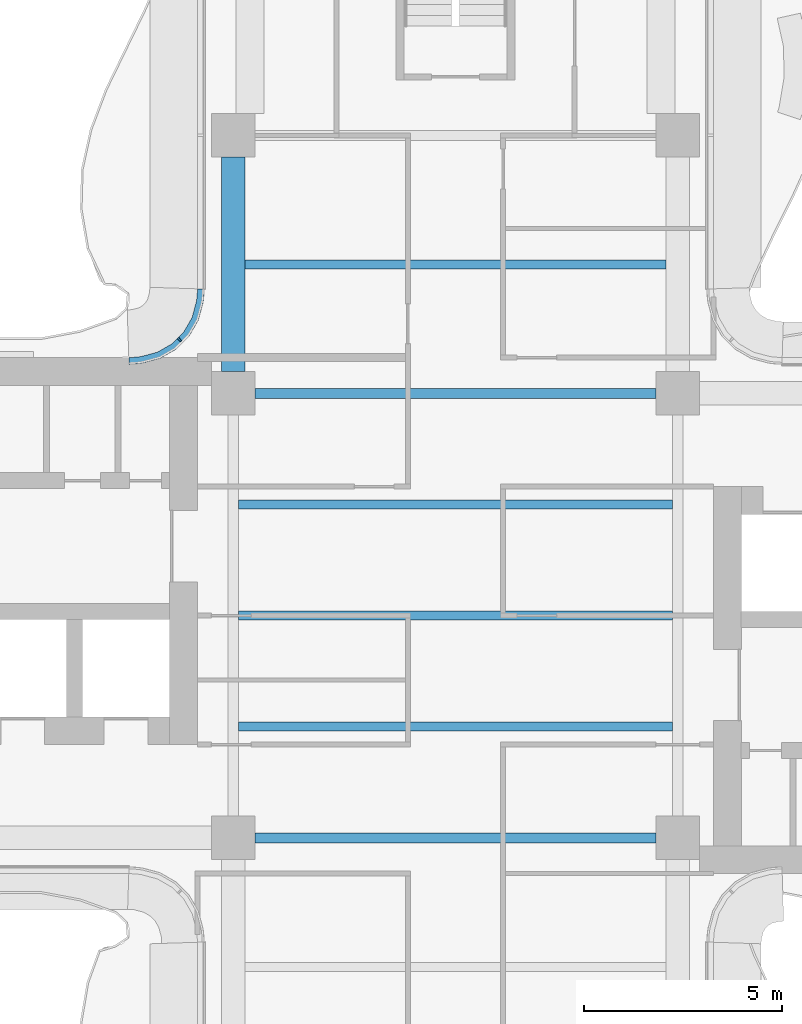
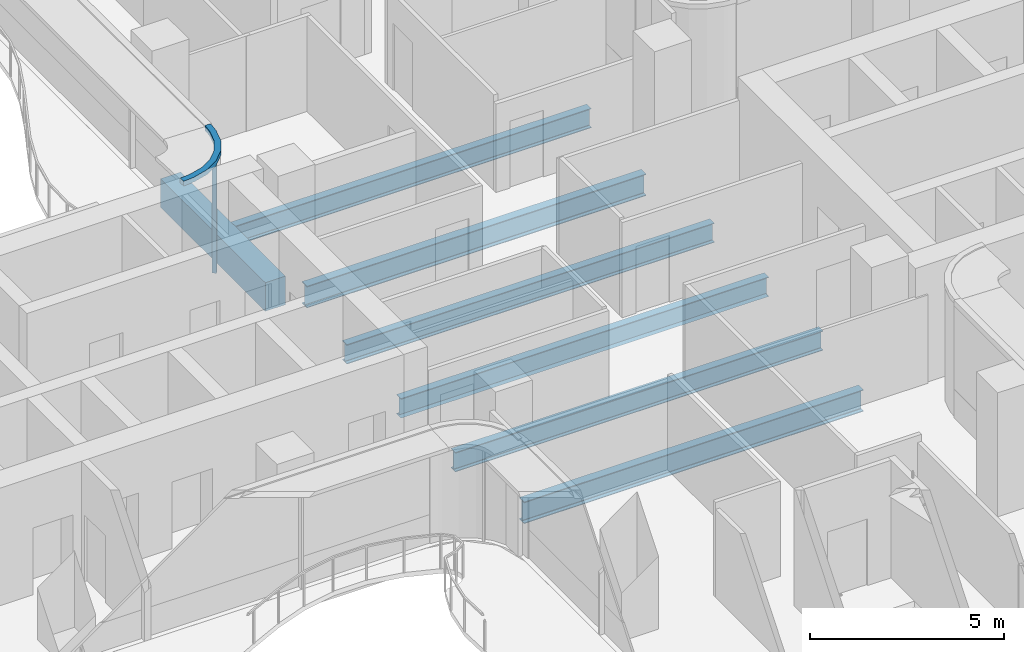
# One storey, part 4 of 16: 7 beams, 2 members, 1 element without a shape of its own.
"""IFC4 building model written with IfcOpenShell, lengths in metres."""

from ifc_helpers import new_model, si_unit, direction, frame, origin, origin_2d, place, context, subcontext, project, spatial, polyline, rectangle, i_section, outline, extrude, source, transform, mapped, material, layer, layer_set, material_profile, profile_set, type_object, element, aggregate, save


model = new_model("IFC4")

# Units and contexts
model_context = context("Model", 3, precision=1e-05, world=origin(), true_north=direction((0.0, 1.0)))
body_context = subcontext(model_context, "Body", "Model", "MODEL_VIEW")
ifc_project = project(units=[si_unit("LENGTHUNIT", "METRE"), si_unit("AREAUNIT", "SQUARE_METRE"), si_unit("VOLUMEUNIT", "CUBIC_METRE"), si_unit("PLANEANGLEUNIT", "RADIAN"), si_unit("MASSUNIT", "GRAM", prefix="KILO")], contexts=[model_context])

# Site, building, storey
site_placement = place(None, origin())
site = spatial("IfcSite", under=ifc_project, at=site_placement, CompositionType="ELEMENT")
building_placement = place(site_placement, origin())
building = spatial("IfcBuilding", under=site, at=building_placement, Name="Trellis Farm Tower", CompositionType="ELEMENT")
storey_placement = place(building_placement, frame((0.0, 0.0, 251.89990234375)))
storey = spatial("IfcBuildingStorey", under=building, at=storey_placement, Name="L56", CompositionType="ELEMENT", Elevation=251.89990234375)

# Beams
ifc_material_1 = material(Name="Steel S355", Category="steel")
ifc_material_profile_1 = material_profile(ifc_material_1, i_section(OverallWidth=0.22900390625, OverallDepth=0.6123046875, WebThickness=0.011962890625, FlangeThickness=0.01953125, FilletRadius=0.0126953125, at=origin_2d()), Name="UB 610x229x125")
ifc_profile_set_1 = profile_set([ifc_material_profile_1], Name="Steel S355")
beam_type_1 = type_object("IfcBeamType", Name="UB 610x229x125 joist", PredefinedType="JOIST", material=ifc_profile_set_1)
shared_shape_1 = source(origin(), body_context, "Body", "SweptSolid", [
    extrude(i_section(OverallWidth=0.22900390625, OverallDepth=0.6123046875, WebThickness=0.011962890625, FlangeThickness=0.01953125, FilletRadius=0.0126953125, at=origin_2d()), origin(), (0.0, 0.0, 1.0), 10.9462890625),
])
for number, where, z_axis, x_axis, name in (
    (1, (-5.47314453125, -2.800048828125, -0.506103515625), (1.0, 0.0, 0.0), (0.0, 1.0, 0.0), "Floor beam"),
    (2, (-5.47314453125, 0.0, -0.506103515625), (1.0, 0.0, 0.0), (0.0, 1.0, 0.0), "Floor beam"),
    (3, (-5.47314453125, 2.800048828125, -0.506103515625), (1.0, 0.0, 0.0), (0.0, 1.0, 0.0), "Floor beam"),
):
    element("IfcBeam", number, at=place(storey_placement, frame(where, z_axis=z_axis, x_axis=x_axis)), inside=storey, type_object=beam_type_1, Name=name, PredefinedType="JOIST", context=body_context, shape_type="MappedRepresentation", body=[
        mapped(shared_shape_1, transform((0.0, 0.0, 0.0))),
    ])
shared_shape_2 = source(origin(), body_context, "Body", "SweptSolid", [
    extrude(i_section(OverallWidth=0.22900390625, OverallDepth=0.6123046875, WebThickness=0.011962890625, FlangeThickness=0.01953125, FilletRadius=0.0126953125, at=origin_2d()), origin(), (0.0, 0.0, 1.0), 10.60009765625),
])
beam_1_placement = place(storey_placement, frame((-5.300048828125, 8.85009765625, -0.506103515625), z_axis=(1.0, 0.0, 0.0), x_axis=(0.0, 1.0, 0.0)))
element("IfcBeam", 4, at=beam_1_placement, inside=storey, type_object=beam_type_1, Name="Floor beam", PredefinedType="JOIST", context=body_context, shape_type="MappedRepresentation", body=[
    mapped(shared_shape_2, transform((0.0, 0.0, 0.0))),
])
ifc_material_profile_2 = material_profile(ifc_material_1, i_section(OverallWidth=0.253662109375, OverallDepth=0.68359375, WebThickness=0.012451171875, FlangeThickness=0.021728515625, FilletRadius=0.01513671875, at=origin_2d()), Name="UB 686x254x140")
ifc_profile_set_2 = profile_set([ifc_material_profile_2], Name="Steel S355")
beam_type_2 = type_object("IfcBeamType", Name="UB 686x254x140", PredefinedType="BEAM", material=ifc_profile_set_2)
shared_shape_3 = source(origin(), body_context, "Body", "SweptSolid", [
    extrude(i_section(OverallWidth=0.253662109375, OverallDepth=0.68359375, WebThickness=0.012451171875, FlangeThickness=0.021728515625, FilletRadius=0.01513671875, at=origin_2d()), origin(), (0.0, 0.0, 1.0), 10.10009765625),
])
for number, where, z_axis, x_axis, name in (
    (5, (-5.050048828125, -5.60009765625, -0.54150390625), (1.0, 0.0, 0.0), (0.0, 1.0, 0.0), "Girder"),
    (6, (-5.050048828125, 5.60009765625, -0.54150390625), (1.0, 0.0, 0.0), (0.0, 1.0, 0.0), "Girder"),
):
    element("IfcBeam", number, at=place(storey_placement, frame(where, z_axis=z_axis, x_axis=x_axis)), inside=storey, type_object=beam_type_2, Name=name, PredefinedType="BEAM", context=body_context, shape_type="MappedRepresentation", body=[
        mapped(shared_shape_3, transform((0.0, 0.0, 0.0))),
    ])
ifc_material_2 = material(Name="Concrete C60/75", Category="concrete")
ifc_material_profile_3 = material_profile(ifc_material_2, rectangle(XDim=0.60009765625, YDim=0.89990234375, at=origin_2d()), Name="RC spandrel beam 600x900 C60/75")
ifc_profile_set_3 = profile_set([ifc_material_profile_3], Name="Concrete C60/75")
beam_type_3 = type_object("IfcBeamType", Name="RC spandrel beam 600x900 C60/75", PredefinedType="SPANDREL", material=ifc_profile_set_3)
shared_shape_4 = source(origin(), body_context, "Body", "SweptSolid", [
    extrude(rectangle(XDim=0.60009765625, YDim=0.89990234375, at=origin_2d()), origin(), (0.0, 0.0, 1.0), 5.400146484375),
])
beam_2_placement = place(storey_placement, frame((-5.60009765625, 6.14990234375, -0.64990234375), z_axis=(0.0, 1.0, 0.0), x_axis=(-1.0, 0.0, 0.0)))
element("IfcBeam", 7, at=beam_2_placement, inside=storey, type_object=beam_type_3, Name="Girder", PredefinedType="SPANDREL", context=body_context, shape_type="MappedRepresentation", body=[
    mapped(shared_shape_4, transform((0.0, 0.0, 0.0))),
])

# Curtain wall, members
ifc_material_3 = material(Name="Aluminium and glass curtain wall", Category="aluminium")
ifc_layer_1 = layer(ifc_material_3, 0.166015625)
ifc_layer_set_1 = layer_set([ifc_layer_1], Name="WINTER GARDEN CURTAIN WALL CW3")
curtain_wall_type = type_object("IfcCurtainWallType", Name="WINTER GARDEN CURTAIN WALL CW3", PredefinedType="NOTDEFINED", material=ifc_layer_set_1)
curtain_wall_placement = place(storey_placement, origin())
curtain_wall = element("IfcCurtainWall", 8, at=curtain_wall_placement, inside=storey, type_object=curtain_wall_type, Name="CW3 004", PredefinedType="NOTDEFINED")
ifc_material_4 = material(Name="Aluminium extrusion 6063-T6", Category="aluminium")
ifc_material_profile_4 = material_profile(ifc_material_4, rectangle(XDim=0.050048828125, YDim=0.1201171875, at=origin_2d()), Name="MULLION 50x120")
ifc_profile_set_4 = profile_set([ifc_material_profile_4], Name="Aluminium extrusion 6063-T6")
member_type_1 = type_object("IfcMemberType", Name="CW3 MULLION 50x120", PredefinedType="MULLION", material=ifc_profile_set_4)
shared_shape_5 = source(origin(), body_context, "Body", "SweptSolid", [
    extrude(rectangle(XDim=0.050048828125, YDim=0.1201171875, at=origin_2d()), origin(), (0.0, 0.0, 1.0), 3.550048828125),
])
member_1_placement = place(storey_placement, frame((-6.953125, 6.953125, 0.0), z_axis=(0.0, 0.0, 1.0), x_axis=(-0.707106781187, -0.707106781187, 0.0)))
member_1 = element("IfcMember", 9, at=member_1_placement, type_object=member_type_1, Name="MU3 004-01", PredefinedType="MULLION", context=body_context, shape_type="MappedRepresentation", body=[
    mapped(shared_shape_5, transform((0.0, 0.0, 0.0))),
])
ifc_layer_2 = layer(ifc_material_4, 0.169921875)
ifc_layer_set_2 = layer_set([ifc_layer_2], Name="Aluminium extrusion 6063-T6")
member_type_2 = type_object("IfcMemberType", Name="CW3 TRANSOM 170x150", PredefinedType="USERDEFINED", material=ifc_layer_set_2)
shared_shape_6 = source(origin(), body_context, "Body", "SweptSolid", [
    extrude(outline(polyline([(-6.5, 8.2314453125), (-6.513916015625, 8.01953125), (-6.527587890625, 7.91552734375), (-6.63671875, 7.508544921875), (-6.846923828125, 7.144287109375), (-7.144287109375, 6.846923828125), (-7.508544921875, 6.63671875), (-7.91552734375, 6.527587890625), (-8.01953125, 6.513916015625), (-8.2314453125, 6.5), (-8.225830078125, 6.330078125), (-8.0029296875, 6.3447265625), (-7.88232421875, 6.360595703125), (-7.44287109375, 6.478271484375), (-7.0400390625, 6.7109375), (-6.7109375, 7.0400390625), (-6.478271484375, 7.44287109375), (-6.360595703125, 7.88232421875), (-6.3447265625, 8.0029296875), (-6.330078125, 8.225830078125), (-6.5, 8.2314453125)])), origin(), (0.0, 0.0, 1.0), 0.150146484375),
])
member_2_placement = place(storey_placement, frame((0.0, 0.0, 3.550048828125)))
member_2 = element("IfcMember", 10, at=member_2_placement, type_object=member_type_2, Name="TR3 004", ObjectType="TRANSOM", PredefinedType="USERDEFINED", context=body_context, shape_type="MappedRepresentation", body=[
    mapped(shared_shape_6, transform((0.0, 0.0, 0.0))),
])
aggregate(curtain_wall, [member_1, member_2])

save(model, "model.ifc")
